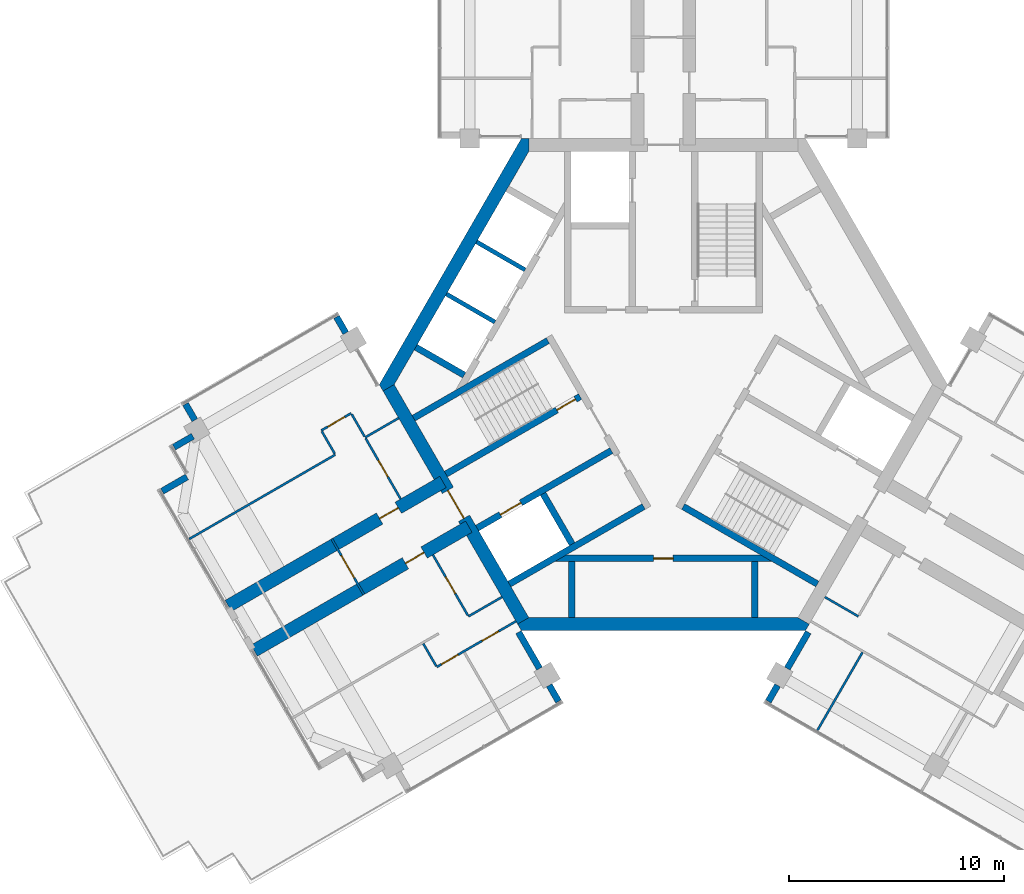
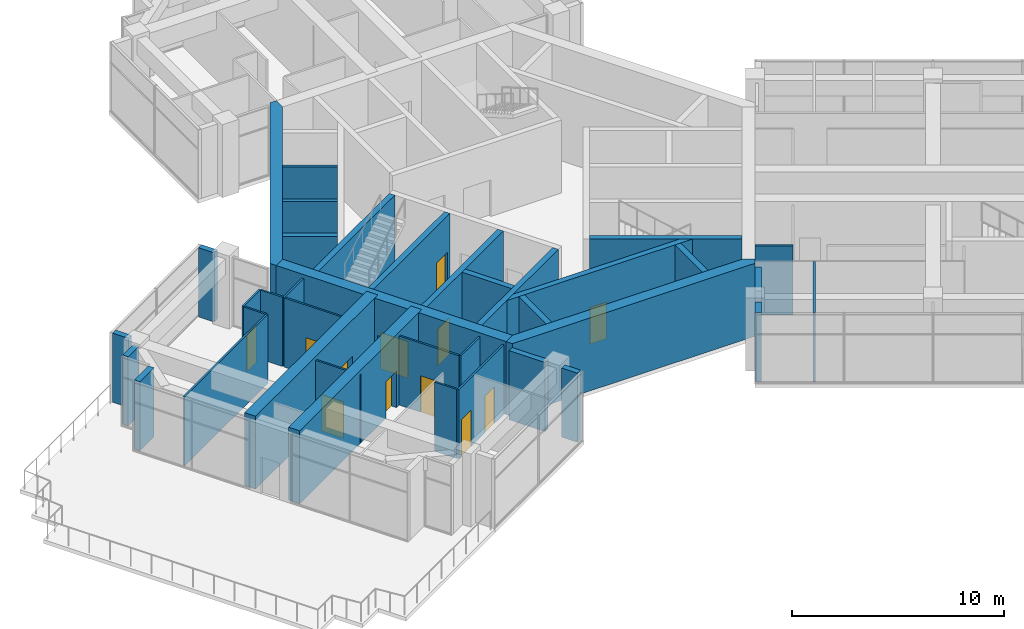
# One storey, part 9 of 13: 38 walls, 12 doors, 12 openings.
"""IFC4 building model written with IfcOpenShell, lengths in metres."""

from ifc_helpers import new_model, si_unit, direction, frame, frame_2d, origin, place, context, subcontext, project, spatial, polyline, rectangle, outline, extrude, material, layer, layer_set, type_object, element, fill, save


model = new_model("IFC4")

# Units and contexts
model_context = context("Model", 3, precision=1e-05, world=origin(), true_north=direction((0.0, 1.0)))
body_context = subcontext(model_context, "Body", "Model", "MODEL_VIEW")
ifc_project = project(units=[si_unit("LENGTHUNIT", "METRE"), si_unit("AREAUNIT", "SQUARE_METRE"), si_unit("VOLUMEUNIT", "CUBIC_METRE"), si_unit("PLANEANGLEUNIT", "RADIAN"), si_unit("MASSUNIT", "GRAM", prefix="KILO")], contexts=[model_context])

# Site, building, storey
site_placement = place(None, origin())
site = spatial("IfcSite", under=ifc_project, at=site_placement, CompositionType="ELEMENT")
building_placement = place(site_placement, origin())
building = spatial("IfcBuilding", under=site, at=building_placement, Name="Impinga Residences", CompositionType="ELEMENT")
storey_placement = place(building_placement, frame((0.0, 0.0, 283.14990234375)))
storey = spatial("IfcBuildingStorey", under=building, at=storey_placement, Name="L71", CompositionType="ELEMENT", Elevation=283.14990234375)

# Wall, opening, door
ifc_material_1 = material(Name="Concrete C60/75", Category="concrete")
ifc_layer_1 = layer(ifc_material_1, 0.60009765625)
ifc_layer_set_1 = layer_set([ifc_layer_1], Name="Concrete C60/75")
wall_type_1 = type_object("IfcWallType", Name="BW3 corridor buttress wall, L46 to L73 600", PredefinedType="SHEAR", material=ifc_layer_set_1)
wall_1_placement = place(storey_placement, frame((-9.040283203125, -6.60498046875, 0.0), z_axis=(0.0, 0.0, 1.0), x_axis=(-0.866023567637, -0.500003180287, 0.0)))
wall_1 = element("IfcWall", 1, at=wall_1_placement, inside=storey, type_object=wall_type_1, Name="Corridor wall BW3 WC L71", PredefinedType="SHEAR", context=body_context, shape_type="SweptSolid", body=[
    extrude(rectangle(XDim=11.51806640625, YDim=0.60009765625, at=frame_2d((5.759033203125, 0.0))), origin(), (0.0, 0.0, 1.0), 4.2001953125),
])
opening_1_placement = place(wall_1_placement, frame((2.39990234375, 0.0, 0.0)))
opening_1 = element("IfcOpeningElement", 2, at=opening_1_placement, cuts=wall_1, Name="Opening D1", PredefinedType="OPENING", context=body_context, shape_type="SweptSolid", body=[
    extrude(rectangle(XDim=1.0, YDim=2.10009765625, at=frame_2d((0.5, 1.050048828125))), frame((0.0, 0.31005859375, 0.0), z_axis=(0.0, -1.0, 0.0), x_axis=(1.0, 0.0, 0.0)), (0.0, 0.0, 1.0), 0.6201171875),
])
ifc_material_2 = material(Name="Timber door set", Category="wood")
door_type_1 = type_object("IfcDoorType", Name="D1 apartment entrance door 1000x2100", OperationType="SINGLE_SWING_LEFT", PredefinedType="DOOR", material=ifc_material_2)
door_1_placement = place(opening_1_placement, origin())
door_1 = element("IfcDoor", 3, at=door_1_placement, inside=storey, type_object=door_type_1, Name="Apartment L71-WA1 entrance", OperationType="SINGLE_SWING_LEFT", OverallHeight=2.10009765625, OverallWidth=1.0, PredefinedType="DOOR", context=body_context, shape_type="SweptSolid", body=[
    extrude(rectangle(XDim=1.0, YDim=2.10009765625, at=frame_2d((0.5, 1.050048828125))), frame((0.0, 0.02490234375, 0.0), z_axis=(0.0, -1.0, 0.0), x_axis=(1.0, 0.0, 0.0)), (0.0, 0.0, 1.0), 0.050048828125),
])
fill(opening_1, door_1)

wall_2_placement = place(storey_placement, frame((-10.240234375, -4.526611328125, 0.0), z_axis=(0.0, 0.0, 1.0), x_axis=(-0.866023567637, -0.500003180287, 0.0)))
wall_2 = element("IfcWall", 4, at=wall_2_placement, inside=storey, type_object=wall_type_1, Name="Corridor wall BW3 WD L71", PredefinedType="SHEAR", context=body_context, shape_type="SweptSolid", body=[
    extrude(rectangle(XDim=11.51806640625, YDim=0.60009765625, at=frame_2d((5.759033203125, 0.0))), origin(), (0.0, 0.0, 1.0), 4.2001953125),
])
opening_2_placement = place(wall_2_placement, frame((2.39990234375, 0.0, 0.0)))
opening_2 = element("IfcOpeningElement", 5, at=opening_2_placement, cuts=wall_2, Name="Opening D1", PredefinedType="OPENING", context=body_context, shape_type="SweptSolid", body=[
    extrude(rectangle(XDim=1.0, YDim=2.10009765625, at=frame_2d((0.5, 1.050048828125))), frame((0.0, 0.31005859375, 0.0), z_axis=(0.0, -1.0, 0.0), x_axis=(1.0, 0.0, 0.0)), (0.0, 0.0, 1.0), 0.6201171875),
])
door_2_placement = place(opening_2_placement, origin())
door_2 = element("IfcDoor", 6, at=door_2_placement, inside=storey, type_object=door_type_1, Name="Apartment L71-WF1 entrance", OperationType="SINGLE_SWING_LEFT", OverallHeight=2.10009765625, OverallWidth=1.0, PredefinedType="DOOR", context=body_context, shape_type="SweptSolid", body=[
    extrude(rectangle(XDim=1.0, YDim=2.10009765625, at=frame_2d((0.5, 1.050048828125))), frame((0.0, 0.02490234375, 0.0), z_axis=(0.0, -1.0, 0.0), x_axis=(1.0, 0.0, 0.0)), (0.0, 0.0, 1.0), 0.050048828125),
])
fill(opening_2, door_2)

ifc_material_3 = material(Name="Concrete blockwork", Category="masonry")
ifc_layer_2 = layer(ifc_material_3, 0.10009765625)
ifc_layer_set_2 = layer_set([ifc_layer_2], Name="CP1 core room partition, blockwork 100")
wall_type_2 = type_object("IfcWallType", Name="CP1 core room partition, blockwork 100", PredefinedType="PARTITIONING", material=ifc_layer_set_2)
wall_3_placement = place(storey_placement, frame((-13.9130859375, -9.764892578125, 0.0), z_axis=(0.0, 0.0, 1.0), x_axis=(-0.499990139034, 0.866031096941, 0.0)))
wall_3 = element("IfcWall", 7, at=wall_3_placement, inside=storey, type_object=wall_type_2, Name="Core room partition, blockwork L71:W:LNG", PredefinedType="PARTITIONING", context=body_context, shape_type="SweptSolid", body=[
    extrude(rectangle(XDim=3.0, YDim=0.10009765625, at=frame_2d((1.5, 0.0))), origin(), (0.0, 0.0, 1.0), 3.97998046875),
])
opening_3_placement = place(wall_3_placement, frame((0.89990234375, 0.0, 0.0)))
opening_3 = element("IfcOpeningElement", 8, at=opening_3_placement, cuts=wall_3, Name="Opening D3", PredefinedType="OPENING", context=body_context, shape_type="SweptSolid", body=[
    extrude(rectangle(XDim=1.199951171875, YDim=2.10009765625, at=frame_2d((0.60009765625, 1.050048828125))), frame((0.0, 0.06005859375, 0.0), z_axis=(0.0, -1.0, 0.0), x_axis=(1.0, 0.0, 0.0)), (0.0, 0.0, 1.0), 0.1201171875),
])
door_type_2 = type_object("IfcDoorType", Name="D3 room door, leaf and a half 1200x2100", OperationType="DOUBLE_SWING_LEFT", PredefinedType="DOOR", material=ifc_material_2)
door_3_placement = place(opening_3_placement, origin())
door_3 = element("IfcDoor", 9, at=door_3_placement, inside=storey, type_object=door_type_2, Name="Residents' lounge door W", OperationType="DOUBLE_SWING_LEFT", OverallHeight=2.10009765625, OverallWidth=1.199951171875, PredefinedType="DOOR", context=body_context, shape_type="SweptSolid", body=[
    extrude(rectangle(XDim=1.199951171875, YDim=2.10009765625, at=frame_2d((0.60009765625, 1.050048828125))), frame((0.0, 0.02490234375, 0.0), z_axis=(0.0, -1.0, 0.0), x_axis=(1.0, 0.0, 0.0)), (0.0, 0.0, 1.0), 0.050048828125),
])
fill(opening_3, door_3)

# Walls
ifc_material_4 = material(Name="Stone facing on blockwork", Category="masonry")
ifc_layer_3 = layer(ifc_material_4, 0.300048828125)
ifc_layer_set_3 = layer_set([ifc_layer_3], Name="EW2 external wall, stone facing on blockwork 300")
wall_type_3 = type_object("IfcWallType", Name="EW2 external wall, stone facing on blockwork 300", PredefinedType="SOLIDWALL", material=ifc_layer_set_3)
wall_4_placement = place(storey_placement, frame((4.872314453125, -14.723876953125, 0.0), z_axis=(0.0, 0.0, 1.0), x_axis=(0.500023708017, 0.866011715522, 0.0)))
element("IfcWall", 10, at=wall_4_placement, inside=storey, type_object=wall_type_3, Name="External wall EW2 L71", PredefinedType="SOLIDWALL", context=body_context, shape_type="SweptSolid", body=[
    extrude(rectangle(XDim=0.865234375, YDim=0.300048828125, at=frame_2d((0.4326171875, 0.0))), origin(), (0.0, 0.0, 1.0), 3.97998046875),
])
for number, where, z_axis, x_axis, name in (
    (11, (5.7548828125, -13.1953125, 0.0), (0.0, 0.0, 1.0), (0.500043961785, 0.866000020948, 0.0), "External wall EW2 L71"),
    (12, (-6.72998046875, -11.506591796875, 0.0), (0.0, 0.0, 1.0), (0.500043961785, -0.866000020948, 0.0), "External wall EW2 L71"),
):
    element("IfcWall", number, at=place(storey_placement, frame(where, z_axis=z_axis, x_axis=x_axis)), inside=storey, type_object=wall_type_3, Name=name, PredefinedType="SOLIDWALL", context=body_context, shape_type="SweptSolid", body=[
        extrude(rectangle(XDim=1.949951171875, YDim=0.300048828125, at=frame_2d((0.97509765625, 0.0))), origin(), (0.0, 0.0, 1.0), 3.97998046875),
    ])
wall_5_placement = place(storey_placement, frame((-5.304931640625, -13.974609375, 0.0), z_axis=(0.0, 0.0, 1.0), x_axis=(0.500023708017, -0.866011715522, 0.0)))
element("IfcWall", 13, at=wall_5_placement, inside=storey, type_object=wall_type_3, Name="External wall EW2 L71", PredefinedType="SOLIDWALL", context=body_context, shape_type="SweptSolid", body=[
    extrude(rectangle(XDim=0.865234375, YDim=0.300048828125, at=frame_2d((0.4326171875, 0.0))), origin(), (0.0, 0.0, 1.0), 3.97998046875),
])
wall_6_placement = place(storey_placement, frame((-23.287353515625, -4.9580078125, 0.0), z_axis=(0.0, 0.0, 1.0), x_axis=(0.865974619471, 0.500087950697, 0.0)))
element("IfcWall", 14, at=wall_6_placement, inside=storey, type_object=wall_type_3, Name="External wall EW2 L71", PredefinedType="SOLIDWALL", context=body_context, shape_type="SweptSolid", body=[
    extrude(rectangle(XDim=1.329833984375, YDim=0.300048828125, at=frame_2d((0.6650390625, 0.0))), origin(), (0.0, 0.0, 1.0), 3.97998046875),
])
wall_7_placement = place(storey_placement, frame((-22.738525390625, -2.908935546875, 0.0), z_axis=(0.0, 0.0, 1.0), x_axis=(0.866029394266, 0.49999308822, 0.0)))
element("IfcWall", 15, at=wall_7_placement, inside=storey, type_object=wall_type_3, Name="External wall EW2 L71", PredefinedType="SOLIDWALL", context=body_context, shape_type="SweptSolid", body=[
    extrude(rectangle(XDim=1.01513671875, YDim=0.300048828125, at=frame_2d((0.507568359375, 0.0))), origin(), (0.0, 0.0, 1.0), 3.97998046875),
])
for number, where, z_axis, x_axis, name in (
    (16, (-21.771240234375, -1.654296875, 0.0), (0.0, 0.0, 1.0), (-0.499885902046, 0.866091268248, 0.0), "External wall EW2 L71"),
    (17, (-15.1875, 3.142333984375, 0.0), (0.0, 0.0, 1.0), (0.500098305348, -0.865968639725, 0.0), "External wall EW2 L71"),
):
    element("IfcWall", number, at=place(storey_placement, frame(where, z_axis=z_axis, x_axis=x_axis)), inside=storey, type_object=wall_type_3, Name=name, PredefinedType="SOLIDWALL", context=body_context, shape_type="SweptSolid", body=[
        extrude(rectangle(XDim=0.862060546875, YDim=0.300048828125, at=frame_2d((0.43115234375, 0.0))), origin(), (0.0, 0.0, 1.0), 3.97998046875),
    ])
ifc_material_5 = material(Name="Gypsum board on steel studs", Category="steel")
ifc_layer_4 = layer(ifc_material_5, 0.10009765625)
ifc_layer_set_4 = layer_set([ifc_layer_4], Name="Gypsum board on steel studs")
wall_type_4 = type_object("IfcWallType", Name="IP1 partition 100", PredefinedType="PARTITIONING", material=ifc_layer_set_4)
wall_8_placement = place(storey_placement, frame((-7.5, -9.872802734375, 0.0), z_axis=(0.0, 0.0, 1.0), x_axis=(-0.866047807691, -0.499961193289, 0.0)))
element("IfcWall", 18, at=wall_8_placement, inside=storey, type_object=wall_type_4, Name="Partition L71-WA1:DIV0", PredefinedType="PARTITIONING", context=body_context, shape_type="SweptSolid", body=[
    extrude(rectangle(XDim=1.800048828125, YDim=0.10009765625, at=frame_2d((0.89990234375, 0.0))), origin(), (0.0, 0.0, 1.0), 3.97998046875),
])

# Wall, openings, doors
wall_9_placement = place(storey_placement, frame((-6.85009765625, -10.99853515625, 0.0), z_axis=(0.0, 0.0, 1.0), x_axis=(-0.866014341725, -0.50001915956, 0.0)))
wall_9 = element("IfcWall", 19, at=wall_9_placement, inside=storey, type_object=wall_type_4, Name="Partition L71-WA1:STRIP", PredefinedType="PARTITIONING", context=body_context, shape_type="SweptSolid", body=[
    extrude(rectangle(XDim=4.249755859375, YDim=0.10009765625, at=frame_2d((2.125, 0.0))), origin(), (0.0, 0.0, 1.0), 3.97998046875),
])
opening_4_placement = place(wall_9_placement, frame((0.925048828125, 0.0, 0.0)))
opening_4 = element("IfcOpeningElement", 20, at=opening_4_placement, cuts=wall_9, Name="Opening D2", PredefinedType="OPENING", context=body_context, shape_type="SweptSolid", body=[
    extrude(rectangle(XDim=0.89990234375, YDim=2.10009765625, at=frame_2d((0.449951171875, 1.050048828125))), frame((0.0, 0.06005859375, 0.0), z_axis=(0.0, -1.0, 0.0), x_axis=(1.0, 0.0, 0.0)), (0.0, 0.0, 1.0), 0.1201171875),
])
opening_5_placement = place(wall_9_placement, frame((3.10009765625, 0.0, 0.0)))
opening_5 = element("IfcOpeningElement", 21, at=opening_5_placement, cuts=wall_9, Name="Opening D2", PredefinedType="OPENING", context=body_context, shape_type="SweptSolid", body=[
    extrude(rectangle(XDim=0.89990234375, YDim=2.10009765625, at=frame_2d((0.449951171875, 1.050048828125))), frame((0.0, 0.06005859375, 0.0), z_axis=(0.0, -1.0, 0.0), x_axis=(1.0, 0.0, 0.0)), (0.0, 0.0, 1.0), 0.1201171875),
])
door_type_3 = type_object("IfcDoorType", Name="D2 internal door 900x2100", OperationType="SINGLE_SWING_LEFT", PredefinedType="DOOR", material=ifc_material_2)
door_4_placement = place(opening_4_placement, origin())
door_4 = element("IfcDoor", 22, at=door_4_placement, inside=storey, type_object=door_type_3, Name="Apartment L71-WA1 room door", OperationType="SINGLE_SWING_LEFT", OverallHeight=2.10009765625, OverallWidth=0.89990234375, PredefinedType="DOOR", context=body_context, shape_type="SweptSolid", body=[
    extrude(rectangle(XDim=0.89990234375, YDim=2.10009765625, at=frame_2d((0.449951171875, 1.050048828125))), frame((0.0, 0.02490234375, 0.0), z_axis=(0.0, -1.0, 0.0), x_axis=(1.0, 0.0, 0.0)), (0.0, 0.0, 1.0), 0.050048828125),
])
fill(opening_4, door_4)
door_5_placement = place(opening_5_placement, origin())
door_5 = element("IfcDoor", 23, at=door_5_placement, inside=storey, type_object=door_type_3, Name="Apartment L71-WA1 room door", OperationType="SINGLE_SWING_RIGHT", OverallHeight=2.10009765625, OverallWidth=0.89990234375, PredefinedType="DOOR", context=body_context, shape_type="SweptSolid", body=[
    extrude(rectangle(XDim=0.89990234375, YDim=2.10009765625, at=frame_2d((0.449951171875, 1.050048828125))), frame((0.0, 0.02490234375, 0.0), z_axis=(0.0, -1.0, 0.0), x_axis=(1.0, 0.0, 0.0)), (0.0, 0.0, 1.0), 0.050048828125),
])
fill(opening_5, door_5)

# Wall
wall_10_placement = place(storey_placement, frame((-11.155517578125, -12.041015625, 0.0), z_axis=(0.0, 0.0, 1.0), x_axis=(0.499880961361, -0.866094119867, 0.0)))
element("IfcWall", 24, at=wall_10_placement, inside=storey, type_object=wall_type_4, Name="Partition L71-WA1:SE1", PredefinedType="PARTITIONING", context=body_context, shape_type="SweptSolid", body=[
    extrude(rectangle(XDim=1.199951171875, YDim=0.10009765625, at=frame_2d((0.60009765625, 0.0))), origin(), (0.0, 0.0, 1.0), 3.97998046875),
])

# Wall, opening, door
wall_11_placement = place(storey_placement, frame((-10.708740234375, -7.914794921875, 0.0), z_axis=(0.0, 0.0, 1.0), x_axis=(0.499984717929, -0.866034226713, 0.0)))
wall_11 = element("IfcWall", 25, at=wall_11_placement, inside=storey, type_object=wall_type_4, Name="Partition L71-WA1:IB1", PredefinedType="PARTITIONING", context=body_context, shape_type="SweptSolid", body=[
    extrude(rectangle(XDim=3.25, YDim=0.10009765625, at=frame_2d((1.625, 0.0))), origin(), (0.0, 0.0, 1.0), 3.97998046875),
])
opening_6_placement = place(wall_11_placement, frame((1.175048828125, 0.0, 0.0)))
opening_6 = element("IfcOpeningElement", 26, at=opening_6_placement, cuts=wall_11, Name="Opening D2", PredefinedType="OPENING", context=body_context, shape_type="SweptSolid", body=[
    extrude(rectangle(XDim=0.89990234375, YDim=2.10009765625, at=frame_2d((0.449951171875, 1.050048828125))), frame((0.0, 0.06005859375, 0.0), z_axis=(0.0, -1.0, 0.0), x_axis=(1.0, 0.0, 0.0)), (0.0, 0.0, 1.0), 0.1201171875),
])
door_6_placement = place(opening_6_placement, origin())
door_6 = element("IfcDoor", 27, at=door_6_placement, inside=storey, type_object=door_type_3, Name="Apartment L71-WA1 bathroom door", OperationType="SINGLE_SWING_LEFT", OverallHeight=2.10009765625, OverallWidth=0.89990234375, PredefinedType="DOOR", context=body_context, shape_type="SweptSolid", body=[
    extrude(rectangle(XDim=0.89990234375, YDim=2.10009765625, at=frame_2d((0.449951171875, 1.050048828125))), frame((0.0, 0.02490234375, 0.0), z_axis=(0.0, -1.0, 0.0), x_axis=(1.0, 0.0, 0.0)), (0.0, 0.0, 1.0), 0.050048828125),
])
fill(opening_6, door_6)

# Walls
wall_12_placement = place(storey_placement, frame((-12.300048828125, -1.558837890625, 0.0), z_axis=(0.0, 0.0, 1.0), x_axis=(-0.866047807691, -0.499961193289, 0.0)))
element("IfcWall", 28, at=wall_12_placement, inside=storey, type_object=wall_type_4, Name="Partition L71-WF1:DIV0", PredefinedType="PARTITIONING", context=body_context, shape_type="SweptSolid", body=[
    extrude(rectangle(XDim=1.800048828125, YDim=0.10009765625, at=frame_2d((0.89990234375, 0.0))), origin(), (0.0, 0.0, 1.0), 3.97998046875),
])
wall_13_placement = place(storey_placement, frame((-15.244384765625, -3.2587890625, 0.0), z_axis=(0.0, 0.0, 1.0), x_axis=(-0.866029956157, -0.499992114976, 0.0)))
element("IfcWall", 29, at=wall_13_placement, inside=storey, type_object=wall_type_4, Name="Partition L71-WF1:DIV1", PredefinedType="PARTITIONING", context=body_context, shape_type="SweptSolid", body=[
    extrude(rectangle(XDim=7.837158203125, YDim=0.10009765625, at=frame_2d((3.91845703125, 0.0))), origin(), (0.0, 0.0, 1.0), 3.97998046875),
])

# Wall, opening, door
wall_14_placement = place(storey_placement, frame((-14.5087890625, -1.3330078125, 0.0), z_axis=(0.0, 0.0, 1.0), x_axis=(-0.866028054938, -0.499995408039, 0.0)))
wall_14 = element("IfcWall", 30, at=wall_14_placement, inside=storey, type_object=wall_type_4, Name="Partition L71-WF1:STRIP", PredefinedType="PARTITIONING", context=body_context, shape_type="SweptSolid", body=[
    extrude(rectangle(XDim=1.60009765625, YDim=0.10009765625, at=frame_2d((0.800048828125, 0.0))), origin(), (0.0, 0.0, 1.0), 3.97998046875),
])
opening_7_placement = place(wall_14_placement, frame((0.35009765625, 0.0, 0.0)))
opening_7 = element("IfcOpeningElement", 31, at=opening_7_placement, cuts=wall_14, Name="Opening D2", PredefinedType="OPENING", context=body_context, shape_type="SweptSolid", body=[
    extrude(rectangle(XDim=0.89990234375, YDim=2.10009765625, at=frame_2d((0.449951171875, 1.050048828125))), frame((0.0, 0.06005859375, 0.0), z_axis=(0.0, -1.0, 0.0), x_axis=(1.0, 0.0, 0.0)), (0.0, 0.0, 1.0), 0.1201171875),
])
door_7_placement = place(opening_7_placement, origin())
door_7 = element("IfcDoor", 32, at=door_7_placement, inside=storey, type_object=door_type_3, Name="Apartment L71-WF1 room door", OperationType="SINGLE_SWING_LEFT", OverallHeight=2.10009765625, OverallWidth=0.89990234375, PredefinedType="DOOR", context=body_context, shape_type="SweptSolid", body=[
    extrude(rectangle(XDim=0.89990234375, YDim=2.10009765625, at=frame_2d((0.449951171875, 1.050048828125))), frame((0.0, 0.02490234375, 0.0), z_axis=(0.0, -1.0, 0.0), x_axis=(1.0, 0.0, 0.0)), (0.0, 0.0, 1.0), 0.050048828125),
])
fill(opening_7, door_7)

# Walls
wall_15_placement = place(storey_placement, frame((-13.8837890625, -2.41552734375, 0.0), z_axis=(0.0, 0.0, 1.0), x_axis=(-0.500033551112, 0.866006032174, 0.0)))
element("IfcWall", 33, at=wall_15_placement, inside=storey, type_object=wall_type_4, Name="Partition L71-WF1:SE0", PredefinedType="PARTITIONING", context=body_context, shape_type="SweptSolid", body=[
    extrude(rectangle(XDim=1.2001953125, YDim=0.10009765625, at=frame_2d((0.60009765625, 0.0))), origin(), (0.0, 0.0, 1.0), 3.97998046875),
])
wall_16_placement = place(storey_placement, frame((-15.26953125, -3.215576171875, 0.0), z_axis=(0.0, 0.0, 1.0), x_axis=(-0.499880961361, 0.866094119867, 0.0)))
element("IfcWall", 34, at=wall_16_placement, inside=storey, type_object=wall_type_4, Name="Partition L71-WF1:SE1", PredefinedType="PARTITIONING", context=body_context, shape_type="SweptSolid", body=[
    extrude(rectangle(XDim=1.199951171875, YDim=0.10009765625, at=frame_2d((0.60009765625, 0.0))), origin(), (0.0, 0.0, 1.0), 3.97998046875),
])

# Wall, opening, door
wall_17_placement = place(storey_placement, frame((-12.208740234375, -5.316650390625, 0.0), z_axis=(0.0, 0.0, 1.0), x_axis=(-0.500017246033, 0.866015446554, 0.0)))
wall_17 = element("IfcWall", 35, at=wall_17_placement, inside=storey, type_object=wall_type_4, Name="Partition L71-WF1:IB1", PredefinedType="PARTITIONING", context=body_context, shape_type="SweptSolid", body=[
    extrude(rectangle(XDim=3.25, YDim=0.10009765625, at=frame_2d((1.625, 0.0))), origin(), (0.0, 0.0, 1.0), 3.97998046875),
])
opening_8_placement = place(wall_17_placement, frame((1.175048828125, 0.0, 0.0)))
opening_8 = element("IfcOpeningElement", 36, at=opening_8_placement, cuts=wall_17, Name="Opening D2", PredefinedType="OPENING", context=body_context, shape_type="SweptSolid", body=[
    extrude(rectangle(XDim=0.89990234375, YDim=2.10009765625, at=frame_2d((0.449951171875, 1.050048828125))), frame((0.0, 0.06005859375, 0.0), z_axis=(0.0, -1.0, 0.0), x_axis=(1.0, 0.0, 0.0)), (0.0, 0.0, 1.0), 0.1201171875),
])
door_8_placement = place(opening_8_placement, origin())
door_8 = element("IfcDoor", 37, at=door_8_placement, inside=storey, type_object=door_type_3, Name="Apartment L71-WF1 bathroom door", OperationType="SINGLE_SWING_LEFT", OverallHeight=2.10009765625, OverallWidth=0.89990234375, PredefinedType="DOOR", context=body_context, shape_type="SweptSolid", body=[
    extrude(rectangle(XDim=0.89990234375, YDim=2.10009765625, at=frame_2d((0.449951171875, 1.050048828125))), frame((0.0, 0.02490234375, 0.0), z_axis=(0.0, -1.0, 0.0), x_axis=(1.0, 0.0, 0.0)), (0.0, 0.0, 1.0), 0.050048828125),
])
fill(opening_8, door_8)

# Walls
wall_18_placement = place(storey_placement, frame((7.5, -9.872802734375, 0.0), z_axis=(0.0, 0.0, 1.0), x_axis=(0.866047807691, -0.499961193289, 0.0)))
element("IfcWall", 38, at=wall_18_placement, inside=storey, type_object=wall_type_4, Name="Partition L71-EF1:DIV0", PredefinedType="PARTITIONING", context=body_context, shape_type="SweptSolid", body=[
    extrude(rectangle(XDim=1.800048828125, YDim=0.10009765625, at=frame_2d((0.89990234375, 0.0))), origin(), (0.0, 0.0, 1.0), 3.97998046875),
])
wall_19_placement = place(storey_placement, frame((9.249755859375, -12.44189453125, 0.0), z_axis=(0.0, 0.0, 1.0), x_axis=(-0.500008475426, -0.86602051044, 0.0)))
element("IfcWall", 39, at=wall_19_placement, inside=storey, type_object=wall_type_4, Name="Partition L71-EF1:OB1", PredefinedType="PARTITIONING", context=body_context, shape_type="SweptSolid", body=[
    extrude(rectangle(XDim=4.18701171875, YDim=0.10009765625, at=frame_2d((2.093505859375, 0.0))), origin(), (0.0, 0.0, 1.0), 3.97998046875),
])

# Wall, opening, door
ifc_layer_5 = layer(ifc_material_1, 0.60009765625)
ifc_layer_set_5 = layer_set([ifc_layer_5], Name="Concrete C60/75")
wall_type_5 = type_object("IfcWallType", Name="SW4 core wall, crown 600", PredefinedType="SHEAR", material=ifc_layer_set_5)
wall_20_placement = place(storey_placement, frame((-6.513427734375, -10.9814453125, 0.0), z_axis=(0.0, 0.0, 1.0), x_axis=(-0.500004069281, 0.866023054371, 0.0)))
wall_20 = element("IfcWall", 40, at=wall_20_placement, inside=storey, type_object=wall_type_5, Name="Core wall SW4 W:FACE L71", PredefinedType="SHEAR", context=body_context, shape_type="SweptSolid", body=[
    extrude(rectangle(XDim=12.50732421875, YDim=0.60009765625, at=frame_2d((6.253662109375, 0.0))), origin(), (0.0, 0.0, 1.0), 4.2001953125),
])
opening_9_placement = place(wall_20_placement, frame((5.503662109375, 0.0, 0.0)))
opening_9 = element("IfcOpeningElement", 41, at=opening_9_placement, cuts=wall_20, Name="Opening D4", PredefinedType="OPENING", context=body_context, shape_type="SweptSolid", body=[
    extrude(rectangle(XDim=1.5, YDim=2.10009765625, at=frame_2d((0.75, 1.050048828125))), frame((0.0, 0.31005859375, 0.0), z_axis=(0.0, -1.0, 0.0), x_axis=(1.0, 0.0, 0.0)), (0.0, 0.0, 1.0), 0.6201171875),
])
door_type_4 = type_object("IfcDoorType", Name="D4 lobby door pair 1500x2100", OperationType="DOUBLE_DOOR_DOUBLE_SWING", PredefinedType="DOOR", material=ifc_material_2)
door_9_placement = place(opening_9_placement, origin())
door_9 = element("IfcDoor", 42, at=door_9_placement, inside=storey, type_object=door_type_4, Name="Lobby door W", OperationType="DOUBLE_DOOR_DOUBLE_SWING", OverallHeight=2.10009765625, OverallWidth=1.5, PredefinedType="DOOR", context=body_context, shape_type="SweptSolid", body=[
    extrude(rectangle(XDim=1.5, YDim=2.10009765625, at=frame_2d((0.75, 1.050048828125))), frame((0.0, 0.02490234375, 0.0), z_axis=(0.0, -1.0, 0.0), x_axis=(1.0, 0.0, 0.0)), (0.0, 0.0, 1.0), 0.050048828125),
])
fill(opening_9, door_9)

# Walls
wall_21_placement = place(storey_placement, origin())
element("IfcWall", 43, at=wall_21_placement, inside=storey, type_object=wall_type_5, Name="Core wall SW4 N:EXPOSED L71", PredefinedType="SHEAR", context=body_context, shape_type="SweptSolid", body=[
    extrude(outline(polyline([(-6.60009765625, -11.431640625), (6.60009765625, -11.431640625), (6.773193359375, -11.131591796875), (6.253662109375, -10.83154296875), (-6.253662109375, -10.83154296875), (-6.773193359375, -11.131591796875), (-6.60009765625, -11.431640625)])), origin(), (0.0, 0.0, 1.0), 4.2001953125),
])
wall_22_placement = place(storey_placement, origin())
element("IfcWall", 44, at=wall_22_placement, inside=storey, type_object=wall_type_5, Name="Core wall SW4 E:EXPOSED L71", PredefinedType="SHEAR", context=body_context, shape_type="SweptSolid", body=[
    extrude(outline(polyline([(-6.60009765625, 11.431640625), (-13.199951171875, 0.0), (-13.02685546875, -0.300048828125), (-12.507080078125, 0.0), (-6.253662109375, 10.83154296875), (-6.253662109375, 11.431640625), (-6.60009765625, 11.431640625)])), origin(), (0.0, 0.0, 1.0), 4.2001953125),
])

# Wall, opening, door
ifc_material_6 = material(Name="Concrete C70/85", Category="concrete")
ifc_layer_6 = layer(ifc_material_6, 0.300048828125)
ifc_layer_set_6 = layer_set([ifc_layer_6], Name="Concrete C70/85")
wall_type_6 = type_object("IfcWallType", Name="SW5 core inner wall, stairs, shafts and lobbies 300", PredefinedType="SHEAR", material=ifc_layer_set_6)
wall_23_placement = place(storey_placement, frame((-3.86865234375, -0.559326171875, 0.0), z_axis=(0.0, 0.0, 1.0), x_axis=(-0.866039935929, -0.499974828743, 0.0)))
wall_23 = element("IfcWall", 45, at=wall_23_placement, inside=storey, type_object=wall_type_6, Name="Core wall SW5 W:ST-IN L71", PredefinedType="SHEAR", context=body_context, shape_type="SweptSolid", body=[
    extrude(rectangle(XDim=7.201416015625, YDim=0.300048828125, at=frame_2d((3.6005859375, 0.0))), origin(), (0.0, 0.0, 1.0), 4.2001953125),
])
opening_10_placement = place(wall_23_placement, frame((0.25, 0.0, 0.0)))
opening_10 = element("IfcOpeningElement", 46, at=opening_10_placement, cuts=wall_23, Name="Opening D5", PredefinedType="OPENING", context=body_context, shape_type="SweptSolid", body=[
    extrude(rectangle(XDim=1.0, YDim=2.10009765625, at=frame_2d((0.5, 1.050048828125))), frame((0.0, 0.159912109375, 0.0), z_axis=(0.0, -1.0, 0.0), x_axis=(1.0, 0.0, 0.0)), (0.0, 0.0, 1.0), 0.320068359375),
])
door_type_5 = type_object("IfcDoorType", Name="D5 stair door 1000x2100", OperationType="SINGLE_SWING_LEFT", PredefinedType="DOOR", material=ifc_material_2)
door_10_placement = place(opening_10_placement, origin())
door_10 = element("IfcDoor", 47, at=door_10_placement, inside=storey, type_object=door_type_5, Name="Stair door W", OperationType="SINGLE_SWING_LEFT", OverallHeight=2.10009765625, OverallWidth=1.0, PredefinedType="DOOR", context=body_context, shape_type="SweptSolid", body=[
    extrude(rectangle(XDim=1.0, YDim=2.10009765625, at=frame_2d((0.5, 1.050048828125))), frame((0.0, 0.02490234375, 0.0), z_axis=(0.0, -1.0, 0.0), x_axis=(1.0, 0.0, 0.0)), (0.0, 0.0, 1.0), 0.050048828125),
])
fill(opening_10, door_10)

# Wall
wall_24_placement = place(storey_placement, frame((-5.36865234375, 2.038818359375, 0.0), z_axis=(0.0, 0.0, 1.0), x_axis=(-0.866025256649, -0.500000254847, 0.0)))
element("IfcWall", 48, at=wall_24_placement, inside=storey, type_object=wall_type_6, Name="Core wall SW5 W:ST-OUT L71", PredefinedType="SHEAR", context=body_context, shape_type="SweptSolid", body=[
    extrude(rectangle(XDim=7.20166015625, YDim=0.300048828125, at=frame_2d((3.600830078125, 0.0))), origin(), (0.0, 0.0, 1.0), 4.2001953125),
])

# Wall, opening, door
wall_25_placement = place(storey_placement, frame((-2.418701171875, -3.07080078125, 0.0), z_axis=(0.0, 0.0, 1.0), x_axis=(-0.86603146111, -0.499989508258, 0.0)))
wall_25 = element("IfcWall", 49, at=wall_25_placement, inside=storey, type_object=wall_type_6, Name="Core wall SW5 W:FF-IN L71", PredefinedType="SHEAR", context=body_context, shape_type="SweptSolid", body=[
    extrude(rectangle(XDim=7.201416015625, YDim=0.300048828125, at=frame_2d((3.6005859375, 0.0))), origin(), (0.0, 0.0, 1.0), 4.2001953125),
])
opening_11_placement = place(wall_25_placement, frame((4.85009765625, 0.0, 0.0)))
opening_11 = element("IfcOpeningElement", 50, at=opening_11_placement, cuts=wall_25, Name="Opening LD2", PredefinedType="OPENING", context=body_context, shape_type="SweptSolid", body=[
    extrude(rectangle(XDim=1.10009765625, YDim=2.10009765625, at=frame_2d((0.550048828125, 1.050048828125))), frame((0.0, 0.159912109375, 0.0), z_axis=(0.0, -1.0, 0.0), x_axis=(1.0, 0.0, 0.0)), (0.0, 0.0, 1.0), 0.320068359375),
])
ifc_material_7 = material(Name="Steel lift landing door", Category="steel")
door_type_6 = type_object("IfcDoorType", Name="LD2 firefighting lift landing door 1100x2100", OperationType="DOUBLE_DOOR_SLIDING", PredefinedType="DOOR", material=ifc_material_7)
door_11_placement = place(opening_11_placement, origin())
door_11 = element("IfcDoor", 51, at=door_11_placement, inside=storey, type_object=door_type_6, Name="Firefighting lift landing door F2", OperationType="DOUBLE_DOOR_SLIDING", OverallHeight=2.10009765625, OverallWidth=1.10009765625, PredefinedType="DOOR", context=body_context, shape_type="SweptSolid", body=[
    extrude(rectangle(XDim=1.10009765625, YDim=2.10009765625, at=frame_2d((0.550048828125, 1.050048828125))), frame((0.0, 0.02490234375, 0.0), z_axis=(0.0, -1.0, 0.0), x_axis=(1.0, 0.0, 0.0)), (0.0, 0.0, 1.0), 0.050048828125),
])
fill(opening_11, door_11)

# Walls
wall_26_placement = place(storey_placement, frame((-0.918701171875, -5.668701171875, 0.0), z_axis=(0.0, 0.0, 1.0), x_axis=(-0.866016781112, -0.50001493461, 0.0)))
element("IfcWall", 52, at=wall_26_placement, inside=storey, type_object=wall_type_6, Name="Core wall SW5 W:FF-OUT L71", PredefinedType="SHEAR", context=body_context, shape_type="SweptSolid", body=[
    extrude(rectangle(XDim=7.201416015625, YDim=0.300048828125, at=frame_2d((3.6005859375, 0.0))), origin(), (0.0, 0.0, 1.0), 4.2001953125),
])
wall_27_placement = place(storey_placement, frame((-4.2412109375, -7.413818359375, 0.0), z_axis=(0.0, 0.0, 1.0), x_axis=(-0.500048589285, 0.86599734893, 0.0)))
element("IfcWall", 53, at=wall_27_placement, inside=storey, type_object=wall_type_6, Name="Core wall SW5 W:FF-RS L71", PredefinedType="SHEAR", context=body_context, shape_type="SweptSolid", body=[
    extrude(rectangle(XDim=2.699951171875, YDim=0.300048828125, at=frame_2d((1.35009765625, 0.0))), origin(), (0.0, 0.0, 1.0), 4.2001953125),
])
wall_28_placement = place(storey_placement, frame((0.918701171875, -5.668701171875, 0.0), z_axis=(0.0, 0.0, 1.0), x_axis=(0.866016781112, -0.50001493461, 0.0)))
element("IfcWall", 54, at=wall_28_placement, inside=storey, type_object=wall_type_6, Name="Core wall SW5 E:ST-OUT L71", PredefinedType="SHEAR", context=body_context, shape_type="SweptSolid", body=[
    extrude(rectangle(XDim=7.201416015625, YDim=0.300048828125, at=frame_2d((3.6005859375, 0.0))), origin(), (0.0, 0.0, 1.0), 4.2001953125),
])

# Wall, opening, door
wall_29_placement = place(storey_placement, frame((5.09765625, -8.08154296875, 0.0), z_axis=(0.0, 0.0, 1.0), x_axis=(-1.0, 0.0, 0.0)))
wall_29 = element("IfcWall", 55, at=wall_29_placement, inside=storey, type_object=wall_type_6, Name="Core wall SW5 N:BANK-FRONT L71", PredefinedType="SHEAR", context=body_context, shape_type="SweptSolid", body=[
    extrude(rectangle(XDim=10.1953125, YDim=0.300048828125, at=frame_2d((5.09765625, 0.0))), origin(), (0.0, 0.0, 1.0), 4.2001953125),
])
opening_12_placement = place(wall_29_placement, frame((4.647705078125, 0.0, 0.0)))
opening_12 = element("IfcOpeningElement", 56, at=opening_12_placement, cuts=wall_29, Name="Opening D6", PredefinedType="OPENING", context=body_context, shape_type="SweptSolid", body=[
    extrude(rectangle(XDim=0.89990234375, YDim=2.10009765625, at=frame_2d((0.449951171875, 1.050048828125))), frame((0.0, 0.159912109375, 0.0), z_axis=(0.0, -1.0, 0.0), x_axis=(1.0, 0.0, 0.0)), (0.0, 0.0, 1.0), 0.320068359375),
])
door_type_7 = type_object("IfcDoorType", Name="D6 riser and store door 900x2100", OperationType="SINGLE_SWING_LEFT", PredefinedType="DOOR", material=ifc_material_2)
door_12_placement = place(opening_12_placement, origin())
door_12 = element("IfcDoor", 57, at=door_12_placement, inside=storey, type_object=door_type_7, Name="Residents' parcel room door", OperationType="SINGLE_SWING_LEFT", OverallHeight=2.10009765625, OverallWidth=0.89990234375, PredefinedType="DOOR", context=body_context, shape_type="SweptSolid", body=[
    extrude(rectangle(XDim=0.89990234375, YDim=2.10009765625, at=frame_2d((0.449951171875, 1.050048828125))), frame((0.0, 0.02490234375, 0.0), z_axis=(0.0, -1.0, 0.0), x_axis=(1.0, 0.0, 0.0)), (0.0, 0.0, 1.0), 0.050048828125),
])
fill(opening_12, door_12)

# Walls
for number, where, z_axis, x_axis, name in (
    (58, (4.25, -8.2314453125, 0.0), (0.0, 0.0, 1.0), (0.0, -1.0, 0.0), "Core wall SW5 N:BANK-L L71"),
    (59, (-4.25, -8.2314453125, 0.0), (0.0, 0.0, 1.0), (0.0, -1.0, 0.0), "Core wall SW5 N:BANK-R L71"),
    (60, (-9.253662109375, 0.43505859375, 0.0), (0.0, 0.0, 1.0), (-0.866021400173, 0.500006934395, 0.0), "Core wall SW5 E:BANK-L L71"),
):
    element("IfcWall", number, at=place(storey_placement, frame(where, z_axis=z_axis, x_axis=x_axis)), inside=storey, type_object=wall_type_6, Name=name, PredefinedType="SHEAR", context=body_context, shape_type="SweptSolid", body=[
        extrude(rectangle(XDim=2.60009765625, YDim=0.300048828125, at=frame_2d((1.300048828125, 0.0))), origin(), (0.0, 0.0, 1.0), 4.2001953125),
    ])
ifc_layer_7 = layer(ifc_material_6, 0.199951171875)
ifc_layer_set_7 = layer_set([ifc_layer_7], Name="Concrete C70/85")
wall_type_7 = type_object("IfcWallType", Name="SW6 lift shaft divider wall 200", PredefinedType="SHEAR", material=ifc_layer_set_7)
for number, where, z_axis, x_axis, name in (
    (61, (-7.82861328125, 2.9033203125, 0.0), (0.0, 0.0, 1.0), (-0.866021400173, 0.500006934395, 0.0), "Core wall SW6 E:BANK-D1 L71"),
    (62, (-6.4287109375, 5.328125, 0.0), (0.0, 0.0, 1.0), (-0.866021400173, 0.500006934395, 0.0), "Core wall SW6 E:BANK-D2 L71"),
):
    element("IfcWall", number, at=place(storey_placement, frame(where, z_axis=z_axis, x_axis=x_axis)), inside=storey, type_object=wall_type_7, Name=name, PredefinedType="SHEAR", context=body_context, shape_type="SweptSolid", body=[
        extrude(rectangle(XDim=2.60009765625, YDim=0.199951171875, at=frame_2d((1.300048828125, 0.0))), origin(), (0.0, 0.0, 1.0), 4.2001953125),
    ])

save(model, "model.ifc")
